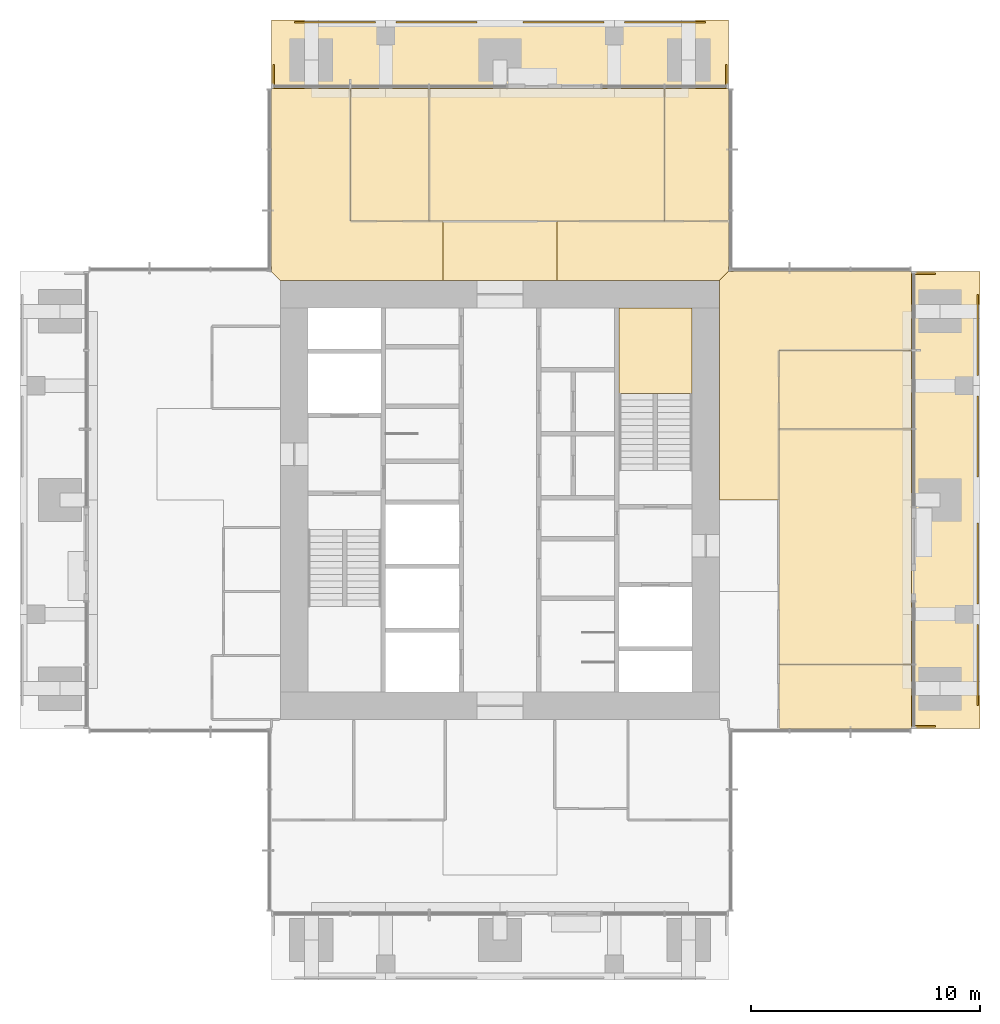
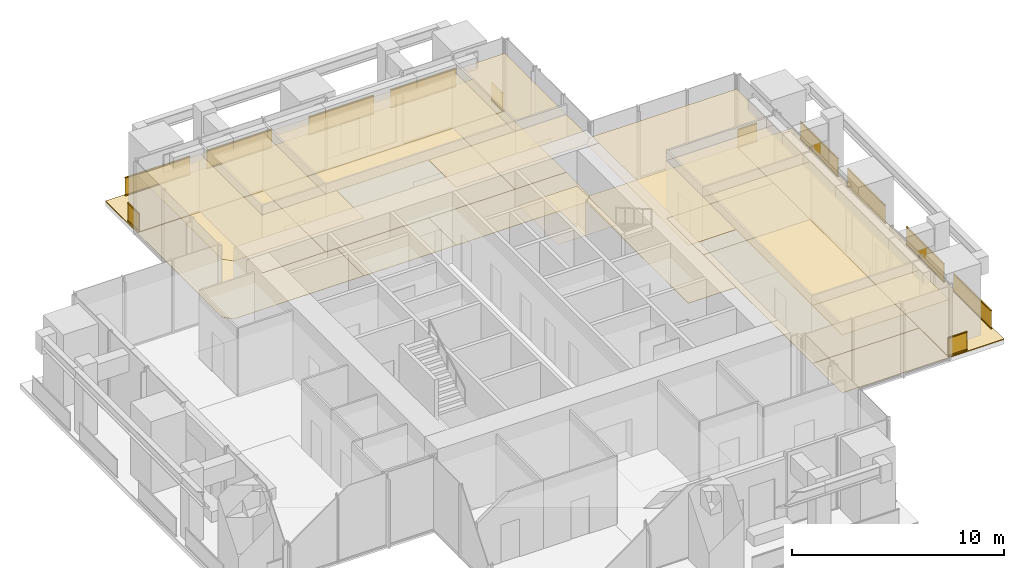
# One storey, part 11 of 12: 22 coverings, 12 railings.
"""IFC4 building model written with IfcOpenShell, lengths in metres."""

from ifc_helpers import new_model, si_unit, direction, frame, origin, origin_2d, place, context, subcontext, project, spatial, polyline, rectangle, outline, extrude, material, layer, layer_set, type_object, element, save


model = new_model("IFC4")

# Units and contexts
model_context = context("Model", 3, precision=1e-05, world=origin(), true_north=direction((0.0, 1.0)))
body_context = subcontext(model_context, "Body", "Model", "MODEL_VIEW")
ifc_project = project(units=[si_unit("LENGTHUNIT", "METRE"), si_unit("AREAUNIT", "SQUARE_METRE"), si_unit("VOLUMEUNIT", "CUBIC_METRE"), si_unit("PLANEANGLEUNIT", "RADIAN"), si_unit("MASSUNIT", "GRAM", prefix="KILO")], contexts=[model_context])

# Site, building, storey
site_placement = place(None, origin())
site = spatial("IfcSite", under=ifc_project, at=site_placement, CompositionType="ELEMENT")
building_placement = place(site_placement, origin())
building = spatial("IfcBuilding", under=site, at=building_placement, Name="Svetlomir Tower", CompositionType="ELEMENT")
storey_placement = place(building_placement, frame((0.0, 0.0, 252.39990234375)))
storey = spatial("IfcBuildingStorey", under=building, at=storey_placement, Name="L60", CompositionType="ELEMENT", Elevation=252.39990234375)

# Railings
ifc_material_1 = material(Name="Bronze anodised aluminium and laminated glass", Category="aluminium")
railing_type = type_object("IfcRailingType", Name="BALCONY GUARD GR1 1100", PredefinedType="GUARDRAIL", material=ifc_material_1)
for number, where, name in (
    (1, (41.89990234375, 12.0, 0.0), "Loggia guard E L60 bay 1"),
    (2, (41.89990234375, 16.449951171875, 0.0), "Loggia guard E L60 bay 2"),
    (3, (41.89990234375, 22.0, 0.0), "Loggia guard E L60 bay 3"),
    (4, (41.89990234375, 26.449951171875, 0.0), "Loggia guard E L60 bay 4"),
):
    element("IfcRailing", number, at=place(storey_placement, frame(where)), inside=storey, type_object=railing_type, Name=name, PredefinedType="GUARDRAIL", context=body_context, shape_type="SweptSolid", body=[
        extrude(rectangle(XDim=0.06005859375, YDim=0.10009765625, at=origin_2d()), frame((0.0, 0.0, 0.050048828125), z_axis=(0.0, 1.0, 0.0), x_axis=(-1.0, 0.0, 0.0)), (0.0, 0.0, 1.0), 3.550048828125),
        extrude(rectangle(XDim=0.021484375, YDim=0.960205078125, at=origin_2d()), frame((0.0, 0.0, 0.580078125), z_axis=(0.0, 1.0, 0.0), x_axis=(-1.0, 0.0, 0.0)), (0.0, 0.0, 1.0), 3.550048828125),
        extrude(rectangle(XDim=0.06005859375, YDim=0.0400390625, at=origin_2d()), frame((0.0, 0.0, 1.080078125), z_axis=(0.0, 1.0, 0.0), x_axis=(-1.0, 0.0, 0.0)), (0.0, 0.0, 1.0), 3.550048828125),
    ])
for number, where, name in (
    (5, (40.050048828125, 11.10009765625, 0.0), "Loggia guard E L60 end 1"),
    (6, (40.050048828125, 30.89990234375, 0.0), "Loggia guard E L60 end 2"),
):
    element("IfcRailing", number, at=place(storey_placement, frame(where)), inside=storey, type_object=railing_type, Name=name, PredefinedType="GUARDRAIL", context=body_context, shape_type="SweptSolid", body=[
        extrude(rectangle(XDim=0.06005859375, YDim=0.10009765625, at=origin_2d()), frame((0.0, 0.0, 0.050048828125), z_axis=(-1.0, 0.0, 0.0), x_axis=(0.0, -1.0, 0.0)), (0.0, 0.0, 1.0), 1.050048828125),
        extrude(rectangle(XDim=0.021484375, YDim=0.960205078125, at=origin_2d()), frame((0.0, 0.0, 0.580078125), z_axis=(-1.0, 0.0, 0.0), x_axis=(0.0, -1.0, 0.0)), (0.0, 0.0, 1.0), 1.050048828125),
        extrude(rectangle(XDim=0.06005859375, YDim=0.0400390625, at=origin_2d()), frame((0.0, 0.0, 1.080078125), z_axis=(-1.0, 0.0, 0.0), x_axis=(0.0, -1.0, 0.0)), (0.0, 0.0, 1.0), 1.050048828125),
    ])
for number, where, name in (
    (7, (12.0, 41.89990234375, 0.0), "Loggia guard N L60 bay 1"),
    (8, (16.449951171875, 41.89990234375, 0.0), "Loggia guard N L60 bay 2"),
    (9, (22.0, 41.89990234375, 0.0), "Loggia guard N L60 bay 3"),
    (10, (26.449951171875, 41.89990234375, 0.0), "Loggia guard N L60 bay 4"),
):
    element("IfcRailing", number, at=place(storey_placement, frame(where)), inside=storey, type_object=railing_type, Name=name, PredefinedType="GUARDRAIL", context=body_context, shape_type="SweptSolid", body=[
        extrude(rectangle(XDim=0.06005859375, YDim=0.10009765625, at=origin_2d()), frame((0.0, 0.0, 0.050048828125), z_axis=(1.0, 0.0, 0.0), x_axis=(0.0, 1.0, 0.0)), (0.0, 0.0, 1.0), 3.550048828125),
        extrude(rectangle(XDim=0.021484375, YDim=0.960205078125, at=origin_2d()), frame((0.0, 0.0, 0.580078125), z_axis=(1.0, 0.0, 0.0), x_axis=(0.0, 1.0, 0.0)), (0.0, 0.0, 1.0), 3.550048828125),
        extrude(rectangle(XDim=0.06005859375, YDim=0.0400390625, at=origin_2d()), frame((0.0, 0.0, 1.080078125), z_axis=(1.0, 0.0, 0.0), x_axis=(0.0, 1.0, 0.0)), (0.0, 0.0, 1.0), 3.550048828125),
    ])
for number, where, name in (
    (11, (11.10009765625, 40.050048828125, 0.0), "Loggia guard N L60 end 1"),
    (12, (30.89990234375, 40.050048828125, 0.0), "Loggia guard N L60 end 2"),
):
    element("IfcRailing", number, at=place(storey_placement, frame(where)), inside=storey, type_object=railing_type, Name=name, PredefinedType="GUARDRAIL", context=body_context, shape_type="SweptSolid", body=[
        extrude(rectangle(XDim=0.06005859375, YDim=0.10009765625, at=origin_2d()), frame((0.0, 0.0, 0.050048828125), z_axis=(0.0, -1.0, 0.0), x_axis=(1.0, 0.0, 0.0)), (0.0, 0.0, 1.0), 1.050048828125),
        extrude(rectangle(XDim=0.021484375, YDim=0.960205078125, at=origin_2d()), frame((0.0, 0.0, 0.580078125), z_axis=(0.0, -1.0, 0.0), x_axis=(1.0, 0.0, 0.0)), (0.0, 0.0, 1.0), 1.050048828125),
        extrude(rectangle(XDim=0.06005859375, YDim=0.0400390625, at=origin_2d()), frame((0.0, 0.0, 1.080078125), z_axis=(0.0, -1.0, 0.0), x_axis=(1.0, 0.0, 0.0)), (0.0, 0.0, 1.0), 1.050048828125),
    ])

# Coverings
ifc_material_2 = material(Name="Granite paving slabs on pedestals", Category="masonry")
ifc_layer_1 = layer(ifc_material_2, 0.0400390625)
ifc_layer_set_1 = layer_set([ifc_layer_1], Name="Granite paving slabs on pedestals")
covering_type_1 = type_object("IfcCoveringType", Name="BALCONY PAVING 40", PredefinedType="USERDEFINED", material=ifc_layer_set_1)
covering_1_placement = place(storey_placement, origin())
element("IfcCovering", 13, at=covering_1_placement, inside=storey, type_object=covering_type_1, Name="Loggia paving E L60", ObjectType="BALCONY PAVING", PredefinedType="USERDEFINED", context=body_context, shape_type="SweptSolid", body=[
    extrude(outline(polyline([(39.0, 11.0), (42.0, 11.0), (42.0, 31.0), (39.0, 31.0), (39.0, 11.0)])), origin(), (0.0, 0.0, 1.0), 0.0400390625),
])
covering_2_placement = place(storey_placement, origin())
element("IfcCovering", 14, at=covering_2_placement, inside=storey, type_object=covering_type_1, Name="Loggia paving N L60", ObjectType="BALCONY PAVING", PredefinedType="USERDEFINED", context=body_context, shape_type="SweptSolid", body=[
    extrude(outline(polyline([(11.0, 39.0), (31.0, 39.0), (31.0, 42.0), (11.0, 42.0), (11.0, 39.0)])), origin(), (0.0, 0.0, 1.0), 0.0400390625),
])
ifc_material_3 = material(Name="Engineered oak floor", Category="wood")
ifc_layer_2 = layer(ifc_material_3, 0.02001953125)
ifc_layer_set_2 = layer_set([ifc_layer_2], Name="Engineered oak floor")
covering_type_2 = type_object("IfcCoveringType", Name="OAK FLOOR 20", PredefinedType="FLOORING", material=ifc_layer_set_2)
covering_3_placement = place(storey_placement, origin())
element("IfcCovering", 15, at=covering_3_placement, inside=storey, type_object=covering_type_2, Name="Floor finish L60-22", PredefinedType="FLOORING", context=body_context, shape_type="SweptSolid", body=[
    extrude(outline(polyline([(33.199951171875, 11.0), (39.0, 11.0), (39.0, 13.800048828125), (33.199951171875, 13.800048828125), (33.199951171875, 11.0)])), origin(), (0.0, 0.0, 1.0), 0.02001953125),
])
covering_4_placement = place(storey_placement, origin())
element("IfcCovering", 16, at=covering_4_placement, inside=storey, type_object=covering_type_2, Name="Floor finish L60-23", PredefinedType="FLOORING", context=body_context, shape_type="SweptSolid", body=[
    extrude(outline(polyline([(33.199951171875, 13.800048828125), (39.0, 13.800048828125), (39.0, 24.10009765625), (33.199951171875, 24.10009765625), (33.199951171875, 13.800048828125)])), origin(), (0.0, 0.0, 1.0), 0.02001953125),
])
covering_5_placement = place(storey_placement, origin())
element("IfcCovering", 17, at=covering_5_placement, inside=storey, type_object=covering_type_2, Name="Floor finish L60-24", PredefinedType="FLOORING", context=body_context, shape_type="SweptSolid", body=[
    extrude(outline(polyline([(33.199951171875, 24.10009765625), (39.0, 24.10009765625), (39.0, 27.550048828125), (33.199951171875, 27.550048828125), (33.199951171875, 24.10009765625)])), origin(), (0.0, 0.0, 1.0), 0.02001953125),
])
covering_6_placement = place(storey_placement, origin())
element("IfcCovering", 18, at=covering_6_placement, inside=storey, type_object=covering_type_2, Name="Floor finish L60-25", PredefinedType="FLOORING", context=body_context, shape_type="SweptSolid", body=[
    extrude(outline(polyline([(14.449951171875, 33.199951171875), (17.89990234375, 33.199951171875), (17.89990234375, 39.0), (14.449951171875, 39.0), (14.449951171875, 33.199951171875)])), origin(), (0.0, 0.0, 1.0), 0.02001953125),
])
covering_7_placement = place(storey_placement, origin())
element("IfcCovering", 19, at=covering_7_placement, inside=storey, type_object=covering_type_2, Name="Floor finish L60-26", PredefinedType="FLOORING", context=body_context, shape_type="SweptSolid", body=[
    extrude(outline(polyline([(17.89990234375, 33.199951171875), (28.199951171875, 33.199951171875), (28.199951171875, 39.0), (17.89990234375, 39.0), (17.89990234375, 33.199951171875)])), origin(), (0.0, 0.0, 1.0), 0.02001953125),
])
covering_8_placement = place(storey_placement, origin())
element("IfcCovering", 20, at=covering_8_placement, inside=storey, type_object=covering_type_2, Name="Floor finish L60-27", PredefinedType="FLOORING", context=body_context, shape_type="SweptSolid", body=[
    extrude(outline(polyline([(28.199951171875, 33.199951171875), (31.0, 33.199951171875), (31.0, 39.0), (28.199951171875, 39.0), (28.199951171875, 33.199951171875)])), origin(), (0.0, 0.0, 1.0), 0.02001953125),
])
covering_9_placement = place(storey_placement, origin())
element("IfcCovering", 21, at=covering_9_placement, inside=storey, type_object=covering_type_2, Name="Floor finish L60-35", PredefinedType="FLOORING", context=body_context, shape_type="SweptSolid", body=[
    extrude(outline(polyline([(23.5, 30.60009765625), (18.5, 30.60009765625), (18.5, 33.199951171875), (23.5, 33.199951171875), (23.5, 30.60009765625)])), origin(), (0.0, 0.0, 1.0), 0.02001953125),
])
covering_10_placement = place(storey_placement, origin())
element("IfcCovering", 22, at=covering_10_placement, inside=storey, type_object=covering_type_2, Name="Floor finish L60-38", PredefinedType="FLOORING", context=body_context, shape_type="SweptSolid", body=[
    extrude(outline(polyline([(39.0, 31.0), (39.0, 27.550048828125), (33.199951171875, 27.550048828125), (33.199951171875, 21.0), (30.60009765625, 21.0), (30.60009765625, 30.60009765625), (31.0, 31.0), (39.0, 31.0)])), origin(), (0.0, 0.0, 1.0), 0.02001953125),
])
covering_11_placement = place(storey_placement, origin())
element("IfcCovering", 23, at=covering_11_placement, inside=storey, type_object=covering_type_2, Name="Floor finish L60-39", PredefinedType="FLOORING", context=body_context, shape_type="SweptSolid", body=[
    extrude(outline(polyline([(23.5, 30.60009765625), (23.5, 33.199951171875), (31.0, 33.199951171875), (31.0, 31.0), (30.60009765625, 30.60009765625), (23.5, 30.60009765625)])), origin(), (0.0, 0.0, 1.0), 0.02001953125),
])
covering_12_placement = place(storey_placement, origin())
element("IfcCovering", 24, at=covering_12_placement, inside=storey, type_object=covering_type_2, Name="Floor finish L60-40", PredefinedType="FLOORING", context=body_context, shape_type="SweptSolid", body=[
    extrude(outline(polyline([(11.0, 39.0), (14.449951171875, 39.0), (14.449951171875, 33.199951171875), (18.5, 33.199951171875), (18.5, 30.60009765625), (11.39990234375, 30.60009765625), (11.0, 31.0), (11.0, 39.0)])), origin(), (0.0, 0.0, 1.0), 0.02001953125),
])
ifc_material_4 = material(Name="Studded rubber floor finish", Category="rubber")
ifc_layer_3 = layer(ifc_material_4, 0.006103515625)
ifc_layer_set_3 = layer_set([ifc_layer_3], Name="Studded rubber floor finish")
covering_type_3 = type_object("IfcCoveringType", Name="RUBBER LANDING FINISH 6", PredefinedType="FLOORING", material=ifc_layer_set_3)
covering_13_placement = place(storey_placement, frame((0.0, 0.0, 2.10009765625)))
element("IfcCovering", 25, at=covering_13_placement, inside=storey, type_object=covering_type_3, Name="Stair S2 landing finish L60", PredefinedType="FLOORING", context=body_context, shape_type="SweptSolid", body=[
    extrude(outline(polyline([(26.199951171875, 25.659912109375), (29.39990234375, 25.659912109375), (29.39990234375, 29.39990234375), (26.199951171875, 29.39990234375), (26.199951171875, 25.659912109375)])), origin(), (0.0, 0.0, 1.0), 0.006103515625),
])
ifc_material_5 = material(Name="Mineral fibre ceiling tile", Category="mineral")
ifc_layer_4 = layer(ifc_material_5, 0.02001953125)
ifc_layer_set_4 = layer_set([ifc_layer_4], Name="Mineral fibre ceiling tile")
covering_type_4 = type_object("IfcCoveringType", Name="SUSPENDED CEILING 20", PredefinedType="CEILING", material=ifc_layer_set_4)
covering_14_placement = place(storey_placement, frame((0.0, 0.0, 3.330078125)))
element("IfcCovering", 26, at=covering_14_placement, inside=storey, type_object=covering_type_4, Name="Ceiling L60-22", PredefinedType="CEILING", context=body_context, shape_type="SweptSolid", body=[
    extrude(outline(polyline([(33.199951171875, 11.0), (39.0, 11.0), (39.0, 13.800048828125), (33.199951171875, 13.800048828125), (33.199951171875, 11.0)])), origin(), (0.0, 0.0, 1.0), 0.02001953125),
])
covering_15_placement = place(storey_placement, frame((0.0, 0.0, 3.330078125)))
element("IfcCovering", 27, at=covering_15_placement, inside=storey, type_object=covering_type_4, Name="Ceiling L60-23", PredefinedType="CEILING", context=body_context, shape_type="SweptSolid", body=[
    extrude(outline(polyline([(33.199951171875, 13.800048828125), (39.0, 13.800048828125), (39.0, 24.10009765625), (33.199951171875, 24.10009765625), (33.199951171875, 13.800048828125)])), origin(), (0.0, 0.0, 1.0), 0.02001953125),
])
covering_16_placement = place(storey_placement, frame((0.0, 0.0, 3.330078125)))
element("IfcCovering", 28, at=covering_16_placement, inside=storey, type_object=covering_type_4, Name="Ceiling L60-24", PredefinedType="CEILING", context=body_context, shape_type="SweptSolid", body=[
    extrude(outline(polyline([(33.199951171875, 24.10009765625), (39.0, 24.10009765625), (39.0, 27.550048828125), (33.199951171875, 27.550048828125), (33.199951171875, 24.10009765625)])), origin(), (0.0, 0.0, 1.0), 0.02001953125),
])
covering_17_placement = place(storey_placement, frame((0.0, 0.0, 3.330078125)))
element("IfcCovering", 29, at=covering_17_placement, inside=storey, type_object=covering_type_4, Name="Ceiling L60-25", PredefinedType="CEILING", context=body_context, shape_type="SweptSolid", body=[
    extrude(outline(polyline([(14.449951171875, 33.199951171875), (17.89990234375, 33.199951171875), (17.89990234375, 39.0), (14.449951171875, 39.0), (14.449951171875, 33.199951171875)])), origin(), (0.0, 0.0, 1.0), 0.02001953125),
])
covering_18_placement = place(storey_placement, frame((0.0, 0.0, 3.330078125)))
element("IfcCovering", 30, at=covering_18_placement, inside=storey, type_object=covering_type_4, Name="Ceiling L60-26", PredefinedType="CEILING", context=body_context, shape_type="SweptSolid", body=[
    extrude(outline(polyline([(17.89990234375, 33.199951171875), (28.199951171875, 33.199951171875), (28.199951171875, 39.0), (17.89990234375, 39.0), (17.89990234375, 33.199951171875)])), origin(), (0.0, 0.0, 1.0), 0.02001953125),
])
covering_19_placement = place(storey_placement, frame((0.0, 0.0, 3.330078125)))
element("IfcCovering", 31, at=covering_19_placement, inside=storey, type_object=covering_type_4, Name="Ceiling L60-27", PredefinedType="CEILING", context=body_context, shape_type="SweptSolid", body=[
    extrude(outline(polyline([(28.199951171875, 33.199951171875), (31.0, 33.199951171875), (31.0, 39.0), (28.199951171875, 39.0), (28.199951171875, 33.199951171875)])), origin(), (0.0, 0.0, 1.0), 0.02001953125),
])
covering_20_placement = place(storey_placement, frame((0.0, 0.0, 3.330078125)))
element("IfcCovering", 32, at=covering_20_placement, inside=storey, type_object=covering_type_4, Name="Ceiling L60-38", PredefinedType="CEILING", context=body_context, shape_type="SweptSolid", body=[
    extrude(outline(polyline([(39.0, 31.0), (39.0, 27.550048828125), (33.199951171875, 27.550048828125), (33.199951171875, 21.0), (30.60009765625, 21.0), (30.60009765625, 30.60009765625), (31.0, 31.0), (39.0, 31.0)])), origin(), (0.0, 0.0, 1.0), 0.02001953125),
])
covering_21_placement = place(storey_placement, frame((0.0, 0.0, 3.330078125)))
element("IfcCovering", 33, at=covering_21_placement, inside=storey, type_object=covering_type_4, Name="Ceiling L60-39", PredefinedType="CEILING", context=body_context, shape_type="SweptSolid", body=[
    extrude(outline(polyline([(23.5, 30.60009765625), (23.5, 33.199951171875), (31.0, 33.199951171875), (31.0, 31.0), (30.60009765625, 30.60009765625), (23.5, 30.60009765625)])), origin(), (0.0, 0.0, 1.0), 0.02001953125),
])
covering_22_placement = place(storey_placement, frame((0.0, 0.0, 3.330078125)))
element("IfcCovering", 34, at=covering_22_placement, inside=storey, type_object=covering_type_4, Name="Ceiling L60-40", PredefinedType="CEILING", context=body_context, shape_type="SweptSolid", body=[
    extrude(outline(polyline([(11.0, 39.0), (14.449951171875, 39.0), (14.449951171875, 33.199951171875), (18.5, 33.199951171875), (18.5, 30.60009765625), (11.39990234375, 30.60009765625), (11.0, 31.0), (11.0, 39.0)])), origin(), (0.0, 0.0, 1.0), 0.02001953125),
])

save(model, "model.ifc")
